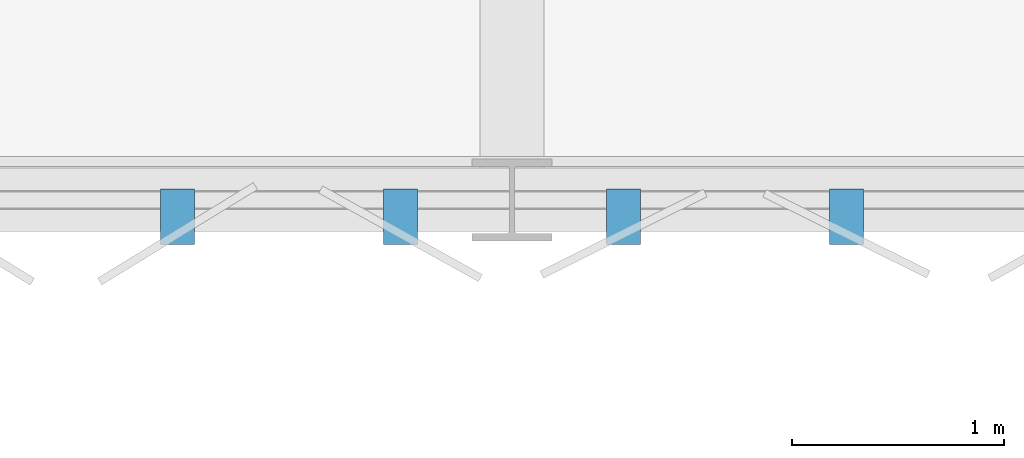
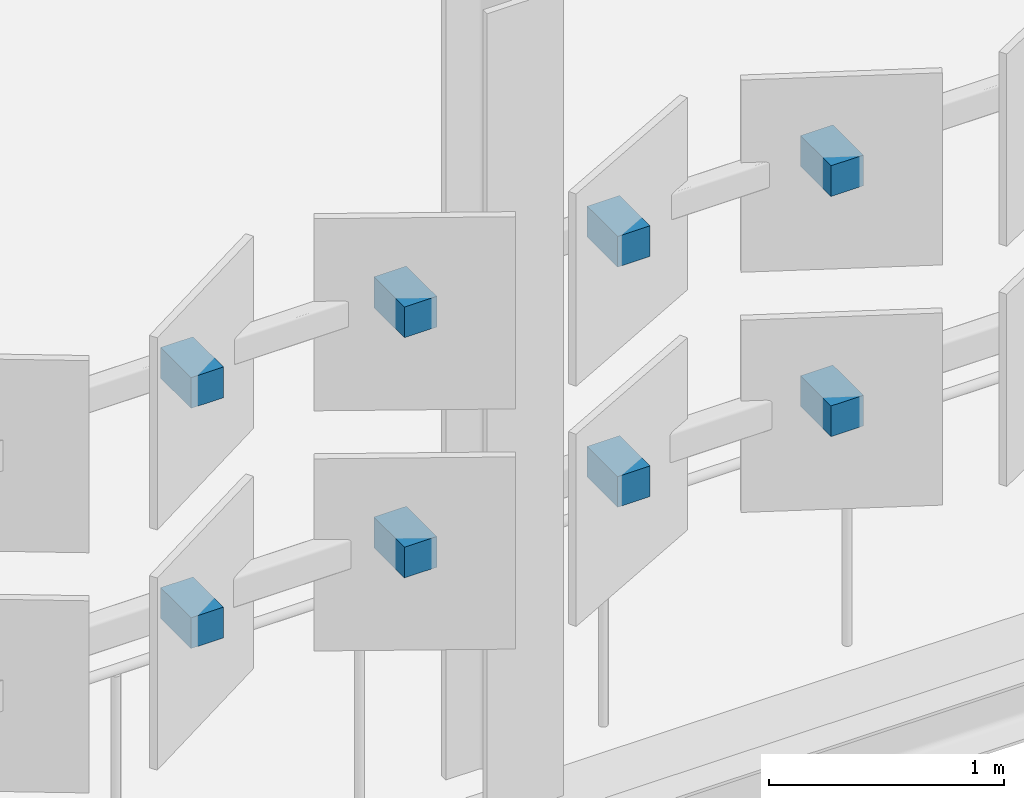
# One storey, part 170 of 184: 8 discrete accessories.
"""IFC4 building model written with IfcOpenShell, lengths in metres."""

from ifc_helpers import new_model, si_unit, direction, frame, origin, origin_2d, place, context, subcontext, project, spatial, rectangle, extrude, material, type_object, element, save


model = new_model("IFC4")

# Units and contexts
model_context = context("Model", 3, precision=1e-05, world=origin(), true_north=direction((0.0, 1.0)))
body_context = subcontext(model_context, "Body", "Model", "MODEL_VIEW")
ifc_project = project(units=[si_unit("LENGTHUNIT", "METRE"), si_unit("AREAUNIT", "SQUARE_METRE"), si_unit("VOLUMEUNIT", "CUBIC_METRE"), si_unit("PLANEANGLEUNIT", "RADIAN"), si_unit("MASSUNIT", "GRAM", prefix="KILO")], contexts=[model_context])

# Site, building, storey
site_placement = place(None, origin())
site = spatial("IfcSite", under=ifc_project, at=site_placement, CompositionType="ELEMENT")
building_placement = place(site_placement, origin())
building = spatial("IfcBuilding", under=site, at=building_placement, Name="Qalvenar Corner Mobility Hub", CompositionType="ELEMENT")
storey_placement = place(building_placement, frame((0.0, 0.0, 9.0)))
storey = spatial("IfcBuildingStorey", under=building, at=storey_placement, Name="L02", CompositionType="ELEMENT", Elevation=9.0)

# Discrete accessories
ifc_material = material(Name="Steel S355", Category="steel")
discrete_accessory_type = type_object("IfcDiscreteAccessoryType", Name="ACC-HINGE-BRK", PredefinedType="BRACKET", material=ifc_material)
for number, where, z_axis, x_axis, name in (
    (1, (124.425048828125, 67.1201171875, 1.419921875), (0.0, 0.0, 1.0), (1.0, 0.0, 0.0), "Panel Hinge Bracket BK-L02-0469"),
    (2, (124.425048828125, 67.1201171875, 2.669921875), (0.0, 0.0, 1.0), (1.0, 0.0, 0.0), "Panel Hinge Bracket BK-L02-0470"),
    (3, (125.47509765625, 67.1201171875, 1.419921875), (0.0, 0.0, 1.0), (1.0, 0.0, 0.0), "Panel Hinge Bracket BK-L02-0471"),
    (4, (125.47509765625, 67.1201171875, 2.669921875), (0.0, 0.0, 1.0), (1.0, 0.0, 0.0), "Panel Hinge Bracket BK-L02-0472"),
    (5, (126.52490234375, 67.1201171875, 1.419921875), (0.0, 0.0, 1.0), (1.0, 0.0, 0.0), "Panel Hinge Bracket BK-L02-0473"),
    (6, (126.52490234375, 67.1201171875, 2.669921875), (0.0, 0.0, 1.0), (1.0, 0.0, 0.0), "Panel Hinge Bracket BK-L02-0474"),
    (7, (127.574951171875, 67.1201171875, 1.419921875), (0.0, 0.0, 1.0), (1.0, 0.0, 0.0), "Panel Hinge Bracket BK-L02-0475"),
    (8, (127.574951171875, 67.1201171875, 2.669921875), (0.0, 0.0, 1.0), (1.0, 0.0, 0.0), "Panel Hinge Bracket BK-L02-0476"),
):
    element("IfcDiscreteAccessory", number, at=place(storey_placement, frame(where, z_axis=z_axis, x_axis=x_axis)), inside=storey, type_object=discrete_accessory_type, Name=name, PredefinedType="BRACKET", context=body_context, shape_type="SweptSolid", body=[
        extrude(rectangle(XDim=0.159912109375, YDim=0.260009765625, at=origin_2d()), origin(), (0.0, 0.0, 1.0), 0.159912109375),
    ])

save(model, "model.ifc")
